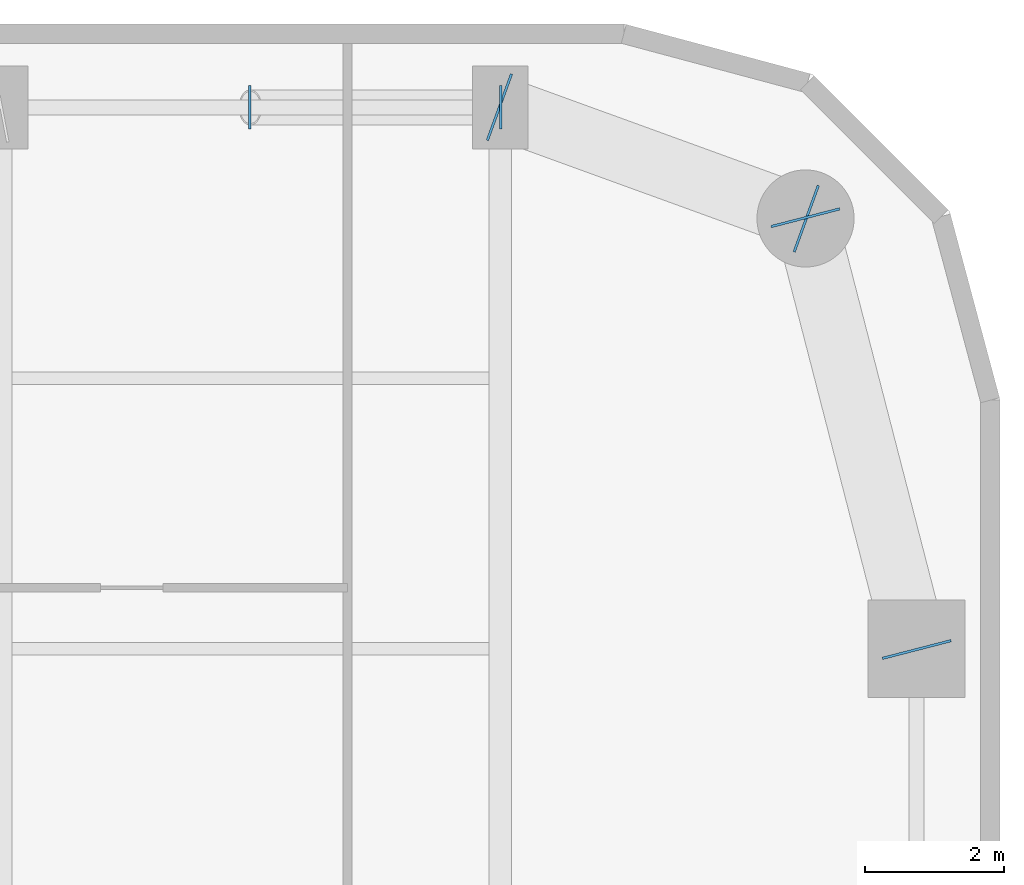
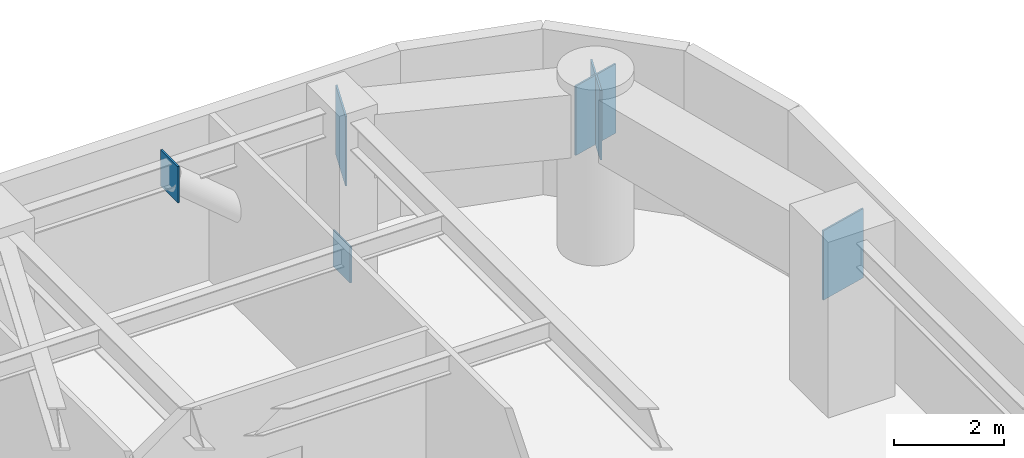
# One storey, part 23 of 30: 6 plates.
"""IFC4 building model written with IfcOpenShell, lengths in metres."""

from ifc_helpers import new_model, si_unit, direction, frame, origin, origin_2d, place, context, subcontext, project, spatial, rectangle, extrude, material, layer, layer_set, type_object, element, save


model = new_model("IFC4")

# Units and contexts
model_context = context("Model", 3, precision=1e-05, world=origin(), true_north=direction((0.0, 1.0)))
body_context = subcontext(model_context, "Body", "Model", "MODEL_VIEW")
ifc_project = project(units=[si_unit("LENGTHUNIT", "METRE"), si_unit("AREAUNIT", "SQUARE_METRE"), si_unit("VOLUMEUNIT", "CUBIC_METRE"), si_unit("PLANEANGLEUNIT", "RADIAN"), si_unit("MASSUNIT", "GRAM", prefix="KILO")], contexts=[model_context])

# Site, building, storey
site_placement = place(None, origin())
site = spatial("IfcSite", under=ifc_project, at=site_placement, CompositionType="ELEMENT")
building_placement = place(site_placement, origin())
building = spatial("IfcBuilding", under=site, at=building_placement, Name="Kiyonajd Concourse Tower", CompositionType="ELEMENT")
storey_placement = place(building_placement, frame((0.0, 0.0, 150.60009765625)))
storey = spatial("IfcBuildingStorey", under=building, at=storey_placement, Name="L38", CompositionType="ELEMENT", Elevation=150.60009765625)

# Plates
ifc_material = material(Name="Steel ASTM A572 Grade 50", Category="steel")
ifc_layer_1 = layer(ifc_material, 0.028076171875)
ifc_layer_set_1 = layer_set([ifc_layer_1], Name="Steel ASTM A572 Grade 50")
plate_type_1 = type_object("IfcPlateType", Name="PL-CAP-450", PredefinedType="USERDEFINED", material=ifc_layer_set_1)
for number, where, z_axis, x_axis, name in (
    (1, (63.6083984375, 61.199951171875, -0.109375), (0.0, 0.0, 1.0), (1.0, 0.0, 0.0), "L38 Hollow Brace End Cap Plate PBN"),
    (2, (59.99169921875, 61.199951171875, 2.93505859375), (0.0, 0.0, 1.0), (-1.0, 0.0, 0.0), "L38 Hollow Brace Top Cap Plate PBN"),
):
    element("IfcPlate", number, at=place(storey_placement, frame(where, z_axis=z_axis, x_axis=x_axis)), inside=storey, type_object=plate_type_1, Name=name, ObjectType="CAP PLATE", PredefinedType="USERDEFINED", context=body_context, shape_type="SweptSolid", body=[
        extrude(rectangle(XDim=0.035888671875, YDim=0.6279296875, at=origin_2d()), origin(), (0.0, 0.0, 1.0), 0.803955078125),
    ])
ifc_layer_2 = layer(ifc_material, 0.031982421875)
ifc_layer_set_2 = layer_set([ifc_layer_2], Name="Steel ASTM A572 Grade 50")
plate_type_2 = type_object("IfcPlateType", Name="PL-CAP-540", PredefinedType="USERDEFINED", material=ifc_layer_set_2)
for number, where, z_axis, x_axis, name in (
    (3, (69.602783203125, 53.389404296875, 2.2099609375), (0.0, 0.0, 1.0), (0.249873048837, -0.968278606324, 0.0), "L38 Welded Box Girder End Cap"),
    (4, (67.997314453125, 59.610595703125, 2.2099609375), (0.0, 0.0, 1.0), (-0.249873048837, 0.968278606324, 0.0), "L38 Welded Box Girder End Cap"),
    (5, (68.01025390625, 59.59619140625, 2.2099609375), (0.0, 0.0, 1.0), (0.939811951086, -0.341692107891, 0.0), "L38 Welded Box Girder End Cap"),
    (6, (63.589599609375, 61.203857421875, 2.2099609375), (0.0, 0.0, 1.0), (-0.939811951086, 0.341692107891, 0.0), "L38 Welded Box Girder End Cap"),
):
    element("IfcPlate", number, at=place(storey_placement, frame(where, z_axis=z_axis, x_axis=x_axis)), inside=storey, type_object=plate_type_2, Name=name, ObjectType="CAP PLATE", PredefinedType="USERDEFINED", context=body_context, shape_type="SweptSolid", body=[
        extrude(rectangle(XDim=0.035888671875, YDim=1.02001953125, at=origin_2d()), origin(), (0.0, 0.0, 1.0), 1.5400390625),
    ])

save(model, "model.ifc")
